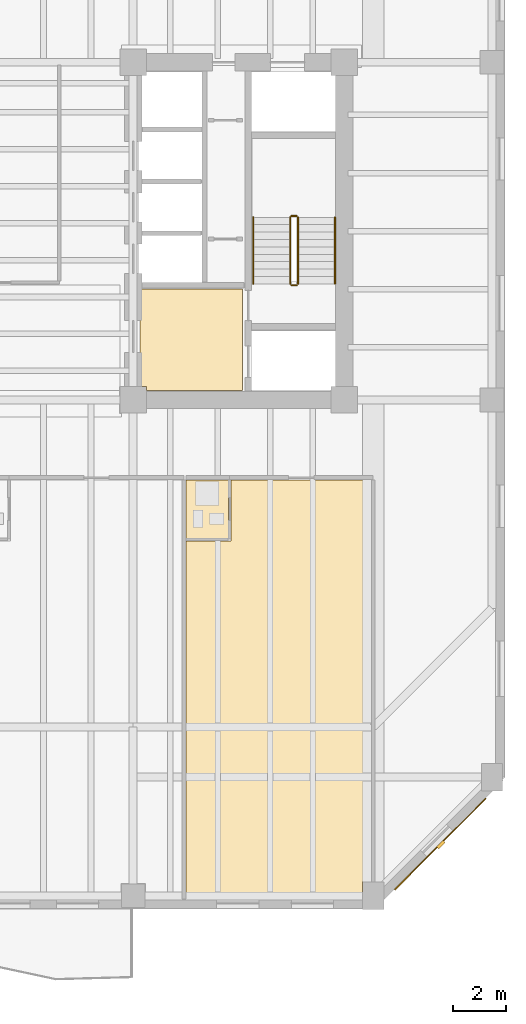
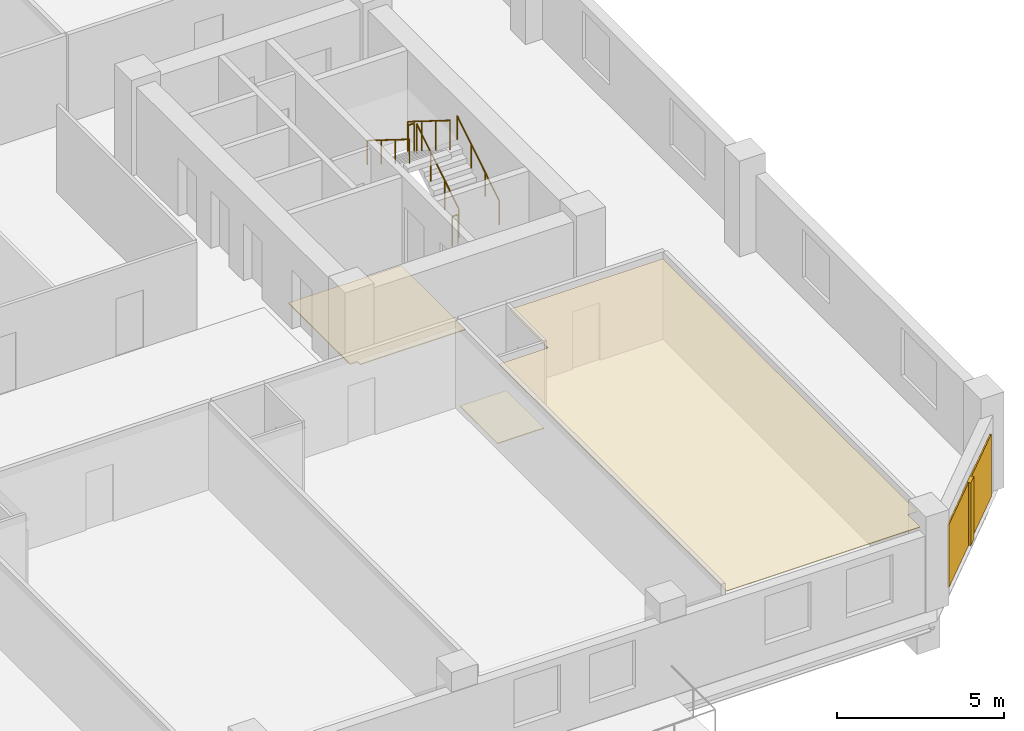
# One storey, part 9 of 11: 6 railings, 4 coverings, 1 shading device.
"""IFC4 building model written with IfcOpenShell, lengths in metres."""

from ifc_helpers import new_model, si_unit, direction, frame, origin, origin_2d, place, context, subcontext, project, spatial, polyline, rectangle, circle, outline, extrude, material, layer, layer_set, type_object, element, save


model = new_model("IFC4")

# Units and contexts
model_context = context("Model", 3, precision=1e-05, world=origin(), true_north=direction((0.0, 1.0)))
body_context = subcontext(model_context, "Body", "Model", "MODEL_VIEW")
ifc_project = project(units=[si_unit("LENGTHUNIT", "METRE"), si_unit("AREAUNIT", "SQUARE_METRE"), si_unit("VOLUMEUNIT", "CUBIC_METRE"), si_unit("PLANEANGLEUNIT", "RADIAN"), si_unit("MASSUNIT", "GRAM", prefix="KILO")], contexts=[model_context])

# Site, building, storey
site_placement = place(None, origin())
site = spatial("IfcSite", under=ifc_project, at=site_placement, CompositionType="ELEMENT")
building_placement = place(site_placement, origin())
building = spatial("IfcBuilding", under=site, at=building_placement, Name="Kranthara Brick Stack", CompositionType="ELEMENT")
storey_placement = place(building_placement, frame((0.0, 0.0, 120.300048828125)))
storey = spatial("IfcBuildingStorey", under=building, at=storey_placement, Name="L29", CompositionType="ELEMENT", Elevation=120.300048828125)

# Coverings
ifc_material_1 = material(Name="Perforated mineral-fibre acoustic ceiling tile", Category="other")
ifc_layer_1 = layer(ifc_material_1, 0.02490234375)
ifc_layer_set_1 = layer_set([ifc_layer_1], Name="Perforated mineral-fibre acoustic ceiling tile")
covering_type_1 = type_object("IfcCoveringType", Name="COV-CEIL-ACOUSTIC", PredefinedType="CEILING", material=ifc_layer_set_1)
covering_1_placement = place(storey_placement, frame((0.0, 0.0, 2.929931640625)))
element("IfcCovering", 1, at=covering_1_placement, inside=storey, type_object=covering_type_1, Name="L29 Room L29-04 Corner Junior Suite Acoustic Ceiling", PredefinedType="CEILING", context=body_context, shape_type="SweptSolid", body=[
    extrude(outline(polyline([(37.208984375, 1.800048828125), (37.208984375, 15.4599609375), (38.91015625, 15.4599609375), (38.91015625, 17.77001953125), (44.219970703125, 17.77001953125), (44.219970703125, 2.534912109375), (43.889892578125, 2.534912109375), (43.889892578125, 1.800048828125), (37.208984375, 1.800048828125)])), origin(), (0.0, 0.0, 1.0), 0.02490234375),
])
ifc_material_2 = material(Name="Warm buff kiln-fired brick slip rainscreen", Category="masonry")
ifc_layer_2 = layer(ifc_material_2, 0.044921875)
ifc_layer_set_2 = layer_set([ifc_layer_2], Name="Warm buff kiln-fired brick slip rainscreen")
covering_type_2 = type_object("IfcCoveringType", Name="COV-CLAD-BRICK", PredefinedType="CLADDING", material=ifc_layer_set_2)
covering_2_placement = place(storey_placement, frame((46.84033203125, 3.959716796875, 0.0498046875), z_axis=(0.0, 0.0, 1.0), x_axis=(-0.707106781187, -0.707106781187, 0.0)))
element("IfcCovering", 2, at=covering_2_placement, inside=storey, type_object=covering_type_2, Name="L29 Chamfer Brick Rainscreen Cladding SE", PredefinedType="CLADDING", context=body_context, shape_type="SweptSolid", body=[
    extrude(rectangle(XDim=4.89306640625, YDim=0.044921875, at=origin_2d()), origin(), (0.0, 0.0, 1.0), 2.300048828125),
])
ifc_material_3 = material(Name="Honed terrazzo and porcelain floor finish", Category="stone")
ifc_layer_3 = layer(ifc_material_3, 0.030029296875)
ifc_layer_set_3 = layer_set([ifc_layer_3], Name="Honed terrazzo and porcelain floor finish")
covering_type_3 = type_object("IfcCoveringType", Name="COV-FLOR-STONE", PredefinedType="FLOORING", material=ifc_layer_set_3)
covering_3_placement = place(storey_placement, origin())
element("IfcCovering", 3, at=covering_3_placement, inside=storey, type_object=covering_type_3, Name="L29 Lift Lobby Stone Flooring", PredefinedType="FLOORING", context=body_context, shape_type="SweptSolid", body=[
    extrude(outline(polyline([(35.449951171875, 25.0), (39.35009765625, 25.0), (39.35009765625, 21.14990234375), (35.7099609375, 21.14990234375), (35.7099609375, 21.31005859375), (35.449951171875, 21.31005859375), (35.449951171875, 25.0)])), origin(), (0.0, 0.0, 1.0), 0.030029296875),
])
covering_4_placement = place(storey_placement, origin())
element("IfcCovering", 4, at=covering_4_placement, inside=storey, type_object=covering_type_3, Name="L29 Wet Room Porcelain Flooring", PredefinedType="FLOORING", context=body_context, shape_type="SweptSolid", body=[
    extrude(outline(polyline([(37.208984375, 15.52001953125), (37.208984375, 17.77001953125), (38.81005859375, 17.77001953125), (38.81005859375, 15.52001953125), (37.208984375, 15.52001953125)])), origin(), (0.0, 0.0, 1.0), 0.030029296875),
])

# Railings
ifc_material_4 = material(Name="Painted galvanized steel stair guardrail", Category="steel")
railing_type_1 = type_object("IfcRailingType", Name="RL-STAIR-GUARD-1100", PredefinedType="GUARDRAIL", material=ifc_material_4)
railing_1_placement = place(storey_placement, frame((41.449951171875, 25.199951171875, 0.175048828125)))
element("IfcRailing", 5, at=railing_1_placement, inside=storey, type_object=railing_type_1, Name="L29 ST02 stair guard 1", PredefinedType="GUARDRAIL", context=body_context, shape_type="SweptSolid", body=[
    extrude(circle(Radius=0.02392578125, at=origin_2d()), frame((0.0, 0.0, 1.076171875), z_axis=(0.0, 0.848007534815, 0.529984170421), x_axis=(-1.0, 0.0, 0.0)), (0.0, 0.0, 1.0), 2.9716796875),
    extrude(circle(Radius=0.02099609375, at=origin_2d()), origin(), (0.0, 0.0, 1.0), 1.052001953125),
    extrude(circle(Radius=0.02099609375, at=origin_2d()), frame((0.0, 0.840087890625, 0.52490234375)), (0.0, 0.0, 1.0), 1.052001953125),
    extrude(circle(Radius=0.02099609375, at=origin_2d()), frame((0.0, 1.679931640625, 1.050048828125)), (0.0, 0.0, 1.0), 1.052001953125),
    extrude(circle(Radius=0.02099609375, at=origin_2d()), frame((0.0, 2.52001953125, 1.574951171875)), (0.0, 0.0, 1.0), 1.052001953125),
])
railing_2_placement = place(storey_placement, frame((41.39990234375, 27.77001953125, 1.75)))
element("IfcRailing", 6, at=railing_2_placement, inside=storey, type_object=railing_type_1, Name="L29 ST02 stair guard 2", PredefinedType="GUARDRAIL", context=body_context, shape_type="SweptSolid", body=[
    extrude(circle(Radius=0.02392578125, at=origin_2d()), frame((0.0, 0.0, 1.076171875), z_axis=(-1.0, 0.0, 0.0), x_axis=(0.0, -1.0, 0.0)), (0.0, 0.0, 1.0), 0.199951171875),
    extrude(circle(Radius=0.02099609375, at=origin_2d()), origin(), (0.0, 0.0, 1.0), 1.052001953125),
    extrude(circle(Radius=0.02099609375, at=origin_2d()), frame((-0.199951171875, 0.0, 0.0)), (0.0, 0.0, 1.0), 1.052001953125),
])
railing_3_placement = place(storey_placement, frame((41.14990234375, 27.719970703125, 1.925048828125)))
element("IfcRailing", 7, at=railing_3_placement, inside=storey, type_object=railing_type_1, Name="L29 ST02 stair guard 3", PredefinedType="GUARDRAIL", context=body_context, shape_type="SweptSolid", body=[
    extrude(circle(Radius=0.02392578125, at=origin_2d()), frame((0.0, 0.0, 1.076171875), z_axis=(0.0, -0.848007534815, 0.529984170421), x_axis=(1.0, 0.0, 0.0)), (0.0, 0.0, 1.0), 2.9716796875),
    extrude(circle(Radius=0.02099609375, at=origin_2d()), origin(), (0.0, 0.0, 1.0), 1.052001953125),
    extrude(circle(Radius=0.02099609375, at=origin_2d()), frame((0.0, -0.840087890625, 0.52490234375)), (0.0, 0.0, 1.0), 1.052001953125),
    extrude(circle(Radius=0.02099609375, at=origin_2d()), frame((0.0, -1.679931640625, 1.050048828125)), (0.0, 0.0, 1.0), 1.052001953125),
    extrude(circle(Radius=0.02099609375, at=origin_2d()), frame((0.0, -2.52001953125, 1.574951171875)), (0.0, 0.0, 1.0), 1.052001953125),
])
railing_4_placement = place(storey_placement, frame((41.39990234375, 25.14990234375, 0.0)))
element("IfcRailing", 8, at=railing_4_placement, inside=storey, type_object=railing_type_1, Name="L29 ST02 stair guard 4", PredefinedType="GUARDRAIL", context=body_context, shape_type="SweptSolid", body=[
    extrude(circle(Radius=0.02392578125, at=origin_2d()), frame((0.0, 0.0, 1.076171875), z_axis=(-1.0, 0.0, 0.0), x_axis=(0.0, -1.0, 0.0)), (0.0, 0.0, 1.0), 0.199951171875),
    extrude(circle(Radius=0.02099609375, at=origin_2d()), origin(), (0.0, 0.0, 1.0), 1.052001953125),
    extrude(circle(Radius=0.02099609375, at=origin_2d()), frame((-0.199951171875, 0.0, 0.0)), (0.0, 0.0, 1.0), 1.052001953125),
])
ifc_material_5 = material(Name="Brushed stainless steel tubular handrail", Category="steel")
railing_type_2 = type_object("IfcRailingType", Name="RL-STAIR-HAND-900", PredefinedType="HANDRAIL", material=ifc_material_5)
railing_5_placement = place(storey_placement, frame((42.85009765625, 25.199951171875, 0.175048828125)))
element("IfcRailing", 9, at=railing_5_placement, inside=storey, type_object=railing_type_2, Name="L29 ST02 stair handrail 1", PredefinedType="HANDRAIL", context=body_context, shape_type="SweptSolid", body=[
    extrude(circle(Radius=0.02392578125, at=origin_2d()), frame((0.0, 0.0, 0.8759765625), z_axis=(0.0, 0.848007534815, 0.529984170421), x_axis=(-1.0, 0.0, 0.0)), (0.0, 0.0, 1.0), 2.9716796875),
    extrude(circle(Radius=0.02099609375, at=origin_2d()), origin(), (0.0, 0.0, 1.0), 0.851806640625),
    extrude(circle(Radius=0.02099609375, at=origin_2d()), frame((0.0, 0.840087890625, 0.52490234375)), (0.0, 0.0, 1.0), 0.851806640625),
    extrude(circle(Radius=0.02099609375, at=origin_2d()), frame((0.0, 1.679931640625, 1.050048828125)), (0.0, 0.0, 1.0), 0.851806640625),
    extrude(circle(Radius=0.02099609375, at=origin_2d()), frame((0.0, 2.52001953125, 1.574951171875)), (0.0, 0.0, 1.0), 0.851806640625),
])
railing_6_placement = place(storey_placement, frame((39.75, 27.719970703125, 1.925048828125)))
element("IfcRailing", 10, at=railing_6_placement, inside=storey, type_object=railing_type_2, Name="L29 ST02 stair handrail 2", PredefinedType="HANDRAIL", context=body_context, shape_type="SweptSolid", body=[
    extrude(circle(Radius=0.02392578125, at=origin_2d()), frame((0.0, 0.0, 0.8759765625), z_axis=(0.0, -0.848007534815, 0.529984170421), x_axis=(1.0, 0.0, 0.0)), (0.0, 0.0, 1.0), 2.9716796875),
    extrude(circle(Radius=0.02099609375, at=origin_2d()), origin(), (0.0, 0.0, 1.0), 0.851806640625),
    extrude(circle(Radius=0.02099609375, at=origin_2d()), frame((0.0, -0.840087890625, 0.52490234375)), (0.0, 0.0, 1.0), 0.851806640625),
    extrude(circle(Radius=0.02099609375, at=origin_2d()), frame((0.0, -1.679931640625, 1.050048828125)), (0.0, 0.0, 1.0), 0.851806640625),
    extrude(circle(Radius=0.02099609375, at=origin_2d()), frame((0.0, -2.52001953125, 1.574951171875)), (0.0, 0.0, 1.0), 0.851806640625),
])

# Shading device
ifc_material_6 = material(Name="Kiln-fired terracotta aerodynamic wind fin", Category="masonry")
shading_device_type = type_object("IfcShadingDeviceType", Name="SHD-BAFFLE-CORNER", PredefinedType="SHUTTER", material=ifc_material_6)
shading_device_placement = place(storey_placement, frame((46.861572265625, 3.9384765625, 0.0498046875), z_axis=(0.0, 0.0, 1.0), x_axis=(-0.707106781187, -0.707106781187, 0.0)))
element("IfcShadingDevice", 11, at=shading_device_placement, inside=storey, type_object=shading_device_type, Name="L29 Chamfer Wind-Baffle Fin SE", PredefinedType="SHUTTER", context=body_context, shape_type="SweptSolid", body=[
    extrude(rectangle(XDim=0.35009765625, YDim=0.1201171875, at=origin_2d()), origin(), (0.0, 0.0, 1.0), 2.300048828125),
])

save(model, "model.ifc")
